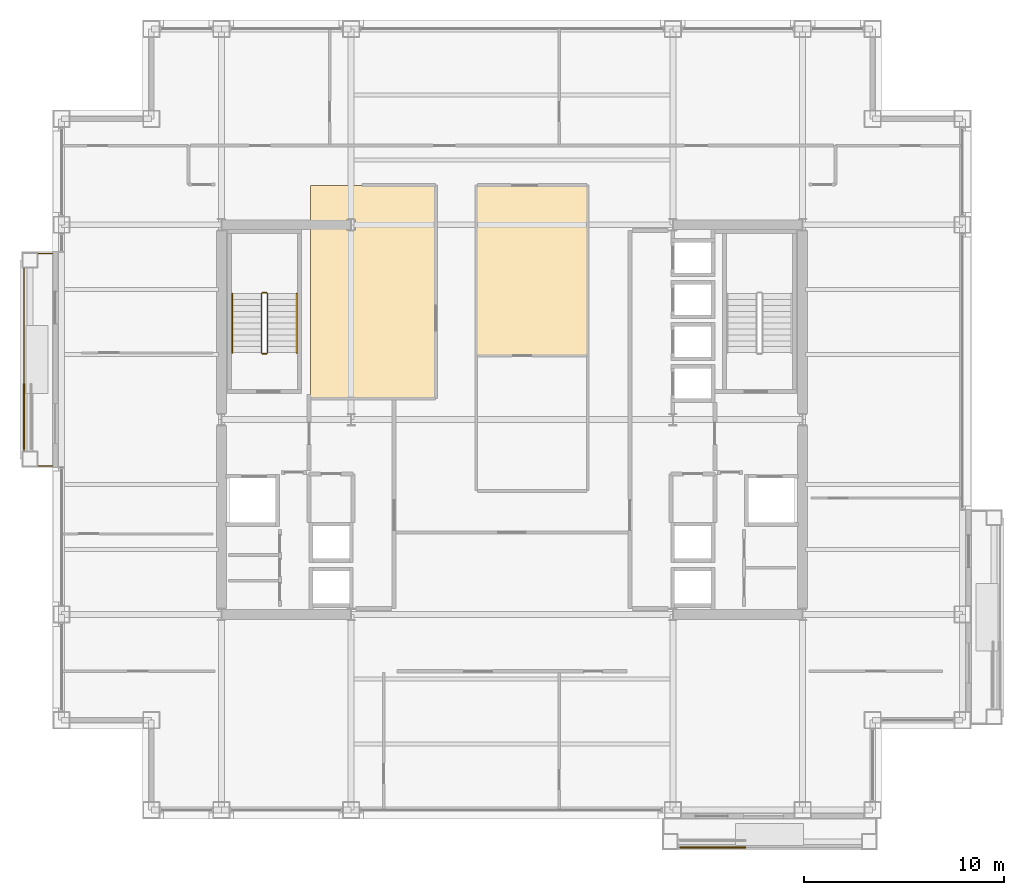
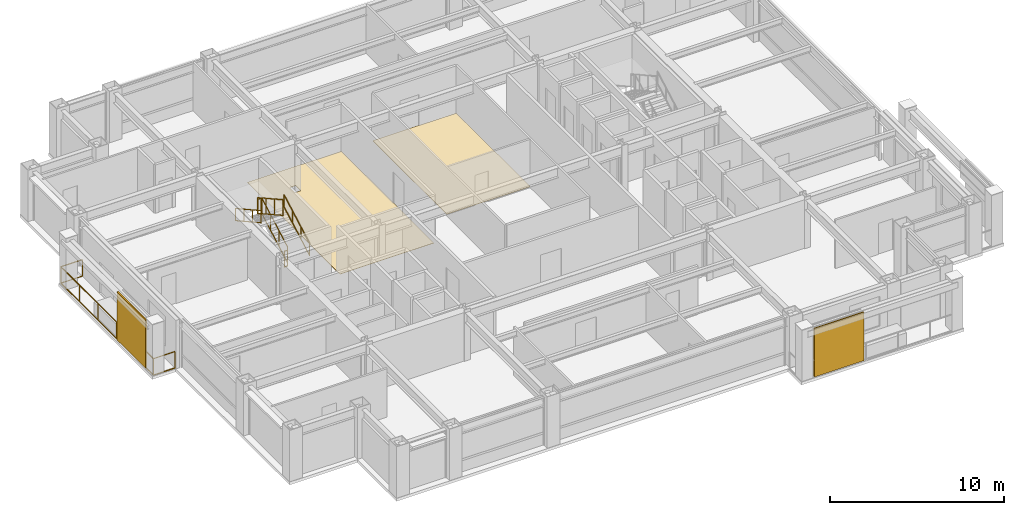
# One storey, part 29 of 31: 7 railings, 2 coverings, 2 shading devices.
"""IFC4 building model written with IfcOpenShell, lengths in metres."""

from ifc_helpers import new_model, si_unit, direction, frame, origin, origin_2d, place, context, subcontext, project, spatial, polyline, rectangle, outline, extrude, material, layer, layer_set, type_object, element, save


model = new_model("IFC4")

# Units and contexts
model_context = context("Model", 3, precision=1e-05, world=origin(), true_north=direction((0.0, 1.0)))
body_context = subcontext(model_context, "Body", "Model", "MODEL_VIEW")
ifc_project = project(units=[si_unit("LENGTHUNIT", "METRE"), si_unit("AREAUNIT", "SQUARE_METRE"), si_unit("VOLUMEUNIT", "CUBIC_METRE"), si_unit("PLANEANGLEUNIT", "RADIAN"), si_unit("MASSUNIT", "GRAM", prefix="KILO")], contexts=[model_context])

# Site, building, storey
site_placement = place(None, origin())
site = spatial("IfcSite", under=ifc_project, at=site_placement, CompositionType="ELEMENT")
building_placement = place(site_placement, origin())
building = spatial("IfcBuilding", under=site, at=building_placement, Name="Brelmoor Portico Tower", CompositionType="ELEMENT")
storey_placement = place(building_placement, frame((0.0, 0.0, 113.39990234375)))
storey = spatial("IfcBuildingStorey", under=building, at=storey_placement, Name="L29", CompositionType="ELEMENT", Elevation=113.39990234375)

# Coverings
ifc_material_1 = material(Name="Polished Pale-Aggregate Cementitious Terrazzo", Category="stone")
ifc_layer_1 = layer(ifc_material_1, 0.030029296875)
ifc_layer_set_1 = layer_set([ifc_layer_1], Name="Polished Pale-Aggregate Cementitious Terrazzo")
covering_type_1 = type_object("IfcCoveringType", Name="CV-FLR-TERRAZZO-30", PredefinedType="FLOORING", material=ifc_layer_set_1)
covering_1_placement = place(storey_placement, origin())
element("IfcCovering", 1, at=covering_1_placement, inside=storey, type_object=covering_type_1, Name="L29 Architectural Floor Finish 02", PredefinedType="FLOORING", context=body_context, shape_type="SweptSolid", body=[
    extrude(outline(polyline([(-1.760009765625, 3.219970703125), (-1.760009765625, 11.719970703125), (3.780029296875, 11.719970703125), (3.780029296875, 3.219970703125), (-1.760009765625, 3.219970703125)])), origin(), (0.0, 0.0, 1.0), 0.030029296875),
])
ifc_material_2 = material(Name="Engineered Quarter-Sawn Oak Parquet Flooring", Category="timber")
ifc_layer_2 = layer(ifc_material_2, 0.02197265625)
ifc_layer_set_2 = layer_set([ifc_layer_2], Name="Engineered Quarter-Sawn Oak Parquet Flooring")
covering_type_2 = type_object("IfcCoveringType", Name="CV-FLR-TIMBER-22", PredefinedType="FLOORING", material=ifc_layer_set_2)
covering_2_placement = place(storey_placement, origin())
element("IfcCovering", 2, at=covering_2_placement, inside=storey, type_object=covering_type_2, Name="L29 Architectural Floor Finish 01", PredefinedType="FLOORING", context=body_context, shape_type="SweptSolid", body=[
    extrude(outline(polyline([(-10.080078125, 11.719970703125), (-3.840087890625, 11.719970703125), (-3.840087890625, 1.090087890625), (-10.080078125, 1.090087890625), (-10.080078125, 11.719970703125)]), holes=[polyline([(-7.85009765625, 9.449951171875), (-7.85009765625, 10.050048828125), (-8.25, 10.050048828125), (-8.25, 9.449951171875), (-7.85009765625, 9.449951171875)])]), origin(), (0.0, 0.0, 1.0), 0.022216796875),
])

# Railings
ifc_material_3 = material(Name="Perforated Pale Champagne Aluminium Fretwork Guard", Category="aluminium")
railing_type_1 = type_object("IfcRailingType", Name="RL-BALUSTRADE-1200", PredefinedType="BALUSTRADE", material=ifc_material_3)
railing_1_placement = place(storey_placement, frame((-23.0, -2.320068359375, 0.0)))
element("IfcRailing", 3, at=railing_1_placement, inside=storey, type_object=railing_type_1, Name="L29 Tree Balcony Fretwork Balustrade W", PredefinedType="BALUSTRADE", context=body_context, shape_type="SweptSolid", body=[
    extrude(rectangle(XDim=0.048095703125, YDim=0.048095703125, at=origin_2d()), frame((0.0, 0.0, 1.17578125), z_axis=(-1.0, 0.0, 0.0), x_axis=(0.0, -1.0, 0.0)), (0.0, 0.0, 1.0), 1.429931640625),
    extrude(rectangle(XDim=0.048095703125, YDim=0.048095703125, at=origin_2d()), frame((0.0, 0.0, 0.02392578125), z_axis=(-1.0, 0.0, 0.0), x_axis=(0.0, -1.0, 0.0)), (0.0, 0.0, 1.0), 1.429931640625),
    extrude(rectangle(XDim=0.048095703125, YDim=0.048095703125, at=origin_2d()), frame((-1.429931640625, 0.0, 1.17578125), z_axis=(0.0, 1.0, 0.0), x_axis=(-1.0, 0.0, 0.0)), (0.0, 0.0, 1.0), 10.64013671875),
    extrude(rectangle(XDim=0.048095703125, YDim=0.048095703125, at=origin_2d()), frame((-1.429931640625, 0.0, 0.02392578125), z_axis=(0.0, 1.0, 0.0), x_axis=(-1.0, 0.0, 0.0)), (0.0, 0.0, 1.0), 10.64013671875),
    extrude(rectangle(XDim=0.048095703125, YDim=0.048095703125, at=origin_2d()), frame((-1.429931640625, 10.64013671875, 1.17578125), z_axis=(1.0, 0.0, 0.0), x_axis=(0.0, 1.0, 0.0)), (0.0, 0.0, 1.0), 1.429931640625),
    extrude(rectangle(XDim=0.048095703125, YDim=0.048095703125, at=origin_2d()), frame((-1.429931640625, 10.64013671875, 0.02392578125), z_axis=(1.0, 0.0, 0.0), x_axis=(0.0, 1.0, 0.0)), (0.0, 0.0, 1.0), 1.429931640625),
    extrude(rectangle(XDim=0.0419921875, YDim=0.0419921875, at=origin_2d()), origin(), (0.0, 0.0, 1.0), 1.15185546875),
    extrude(rectangle(XDim=0.0419921875, YDim=0.0419921875, at=origin_2d()), frame((-1.429931640625, 0.0, 0.0)), (0.0, 0.0, 1.0), 1.15185546875),
    extrude(rectangle(XDim=0.0419921875, YDim=0.0419921875, at=origin_2d()), frame((-1.429931640625, 2.1279296875, 0.0)), (0.0, 0.0, 1.0), 1.15185546875),
    extrude(rectangle(XDim=0.0419921875, YDim=0.0419921875, at=origin_2d()), frame((-1.429931640625, 4.256103515625, 0.0)), (0.0, 0.0, 1.0), 1.15185546875),
    extrude(rectangle(XDim=0.0419921875, YDim=0.0419921875, at=origin_2d()), frame((-1.429931640625, 6.384033203125, 0.0)), (0.0, 0.0, 1.0), 1.15185546875),
    extrude(rectangle(XDim=0.0419921875, YDim=0.0419921875, at=origin_2d()), frame((-1.429931640625, 8.51220703125, 0.0)), (0.0, 0.0, 1.0), 1.15185546875),
    extrude(rectangle(XDim=0.0419921875, YDim=0.0419921875, at=origin_2d()), frame((-1.429931640625, 10.64013671875, 0.0)), (0.0, 0.0, 1.0), 1.15185546875),
    extrude(rectangle(XDim=0.0419921875, YDim=0.0419921875, at=origin_2d()), frame((0.0, 10.64013671875, 0.0)), (0.0, 0.0, 1.0), 1.15185546875),
])
ifc_material_4 = material(Name="Painted Tubular Steel Q235B", Category="steel")
railing_type_2 = type_object("IfcRailingType", Name="RL-STAIR-GUARD", PredefinedType="GUARDRAIL", material=ifc_material_4)
railing_2_placement = place(storey_placement, frame((-12.239990234375, 3.35009765625, 0.163818359375)))
element("IfcRailing", 4, at=railing_2_placement, inside=storey, type_object=railing_type_2, Name="L29 ST-W stair guard 1", PredefinedType="GUARDRAIL", context=body_context, shape_type="SweptSolid", body=[
    extrude(rectangle(XDim=0.048095703125, YDim=0.048095703125, at=origin_2d()), frame((0.0, 0.0, 1.1259765625), z_axis=(0.0, 0.87448821551, 0.485046761595), x_axis=(-1.0, 0.0, 0.0)), (0.0, 0.0, 1.0), 3.373291015625),
    extrude(rectangle(XDim=0.048095703125, YDim=0.048095703125, at=origin_2d()), frame((0.0, 0.0, 0.02392578125), z_axis=(0.0, 0.87448821551, 0.485046761595), x_axis=(-1.0, 0.0, 0.0)), (0.0, 0.0, 1.0), 3.373291015625),
    extrude(rectangle(XDim=0.0419921875, YDim=0.0419921875, at=origin_2d()), origin(), (0.0, 0.0, 1.0), 1.101806640625),
    extrude(rectangle(XDim=0.0419921875, YDim=0.0419921875, at=origin_2d()), frame((0.0, 0.9833984375, 0.54541015625)), (0.0, 0.0, 1.0), 1.101806640625),
    extrude(rectangle(XDim=0.0419921875, YDim=0.0419921875, at=origin_2d()), frame((0.0, 1.966552734375, 1.0908203125)), (0.0, 0.0, 1.0), 1.101806640625),
    extrude(rectangle(XDim=0.0419921875, YDim=0.0419921875, at=origin_2d()), frame((0.0, 2.949951171875, 1.63623046875)), (0.0, 0.0, 1.0), 1.101806640625),
])
railing_3_placement = place(storey_placement, frame((-12.2900390625, 6.35009765625, 1.800048828125)))
element("IfcRailing", 5, at=railing_3_placement, inside=storey, type_object=railing_type_2, Name="L29 ST-W stair guard 2", PredefinedType="GUARDRAIL", context=body_context, shape_type="SweptSolid", body=[
    extrude(rectangle(XDim=0.048095703125, YDim=0.048095703125, at=origin_2d()), frame((0.0, 0.0, 1.1259765625), z_axis=(-1.0, 0.0, 0.0), x_axis=(0.0, -1.0, 0.0)), (0.0, 0.0, 1.0), 0.199951171875),
    extrude(rectangle(XDim=0.048095703125, YDim=0.048095703125, at=origin_2d()), frame((0.0, 0.0, 0.02392578125), z_axis=(-1.0, 0.0, 0.0), x_axis=(0.0, -1.0, 0.0)), (0.0, 0.0, 1.0), 0.199951171875),
    extrude(rectangle(XDim=0.0419921875, YDim=0.0419921875, at=origin_2d()), origin(), (0.0, 0.0, 1.0), 1.101806640625),
    extrude(rectangle(XDim=0.0419921875, YDim=0.0419921875, at=origin_2d()), frame((-0.199951171875, 0.0, 0.0)), (0.0, 0.0, 1.0), 1.101806640625),
])
railing_4_placement = place(storey_placement, frame((-12.5400390625, 6.300048828125, 1.963623046875)))
element("IfcRailing", 6, at=railing_4_placement, inside=storey, type_object=railing_type_2, Name="L29 ST-W stair guard 3", PredefinedType="GUARDRAIL", context=body_context, shape_type="SweptSolid", body=[
    extrude(rectangle(XDim=0.048095703125, YDim=0.048095703125, at=origin_2d()), frame((0.0, 0.0, 1.1259765625), z_axis=(0.0, -0.874457516365, 0.485102104791), x_axis=(1.0, 0.0, 0.0)), (0.0, 0.0, 1.0), 3.37353515625),
    extrude(rectangle(XDim=0.048095703125, YDim=0.048095703125, at=origin_2d()), frame((0.0, 0.0, 0.02392578125), z_axis=(0.0, -0.874457516365, 0.485102104791), x_axis=(1.0, 0.0, 0.0)), (0.0, 0.0, 1.0), 3.37353515625),
    extrude(rectangle(XDim=0.0419921875, YDim=0.0419921875, at=origin_2d()), origin(), (0.0, 0.0, 1.0), 1.101806640625),
    extrude(rectangle(XDim=0.0419921875, YDim=0.0419921875, at=origin_2d()), frame((0.0, -0.9833984375, 0.54541015625)), (0.0, 0.0, 1.0), 1.101806640625),
    extrude(rectangle(XDim=0.0419921875, YDim=0.0419921875, at=origin_2d()), frame((0.0, -1.966552734375, 1.091064453125)), (0.0, 0.0, 1.0), 1.101806640625),
    extrude(rectangle(XDim=0.0419921875, YDim=0.0419921875, at=origin_2d()), frame((0.0, -2.949951171875, 1.636474609375)), (0.0, 0.0, 1.0), 1.101806640625),
])
railing_5_placement = place(storey_placement, frame((-12.2900390625, 3.300048828125, 0.0)))
element("IfcRailing", 7, at=railing_5_placement, inside=storey, type_object=railing_type_2, Name="L29 ST-W stair guard 4", PredefinedType="GUARDRAIL", context=body_context, shape_type="SweptSolid", body=[
    extrude(rectangle(XDim=0.048095703125, YDim=0.048095703125, at=origin_2d()), frame((0.0, 0.0, 1.1259765625), z_axis=(-1.0, 0.0, 0.0), x_axis=(0.0, -1.0, 0.0)), (0.0, 0.0, 1.0), 0.199951171875),
    extrude(rectangle(XDim=0.048095703125, YDim=0.048095703125, at=origin_2d()), frame((0.0, 0.0, 0.02392578125), z_axis=(-1.0, 0.0, 0.0), x_axis=(0.0, -1.0, 0.0)), (0.0, 0.0, 1.0), 0.199951171875),
    extrude(rectangle(XDim=0.0419921875, YDim=0.0419921875, at=origin_2d()), origin(), (0.0, 0.0, 1.0), 1.101806640625),
    extrude(rectangle(XDim=0.0419921875, YDim=0.0419921875, at=origin_2d()), frame((-0.199951171875, 0.0, 0.0)), (0.0, 0.0, 1.0), 1.101806640625),
])
ifc_material_5 = material(Name="Brushed Stainless Steel 304", Category="steel")
railing_type_3 = type_object("IfcRailingType", Name="RL-STAIR-HANDRAIL", PredefinedType="HANDRAIL", material=ifc_material_5)
railing_6_placement = place(storey_placement, frame((-10.780029296875, 3.35009765625, 0.163818359375)))
element("IfcRailing", 8, at=railing_6_placement, inside=storey, type_object=railing_type_3, Name="L29 ST-W stair handrail 1", PredefinedType="HANDRAIL", context=body_context, shape_type="SweptSolid", body=[
    extrude(rectangle(XDim=0.048095703125, YDim=0.048095703125, at=origin_2d()), frame((0.0, 0.0, 0.8759765625), z_axis=(0.0, 0.87448821551, 0.485046761595), x_axis=(-1.0, 0.0, 0.0)), (0.0, 0.0, 1.0), 3.373291015625),
    extrude(rectangle(XDim=0.048095703125, YDim=0.048095703125, at=origin_2d()), frame((0.0, 0.0, 0.02392578125), z_axis=(0.0, 0.87448821551, 0.485046761595), x_axis=(-1.0, 0.0, 0.0)), (0.0, 0.0, 1.0), 3.373291015625),
    extrude(rectangle(XDim=0.0419921875, YDim=0.0419921875, at=origin_2d()), origin(), (0.0, 0.0, 1.0), 0.851806640625),
    extrude(rectangle(XDim=0.0419921875, YDim=0.0419921875, at=origin_2d()), frame((0.0, 0.9833984375, 0.54541015625)), (0.0, 0.0, 1.0), 0.851806640625),
    extrude(rectangle(XDim=0.0419921875, YDim=0.0419921875, at=origin_2d()), frame((0.0, 1.966552734375, 1.0908203125)), (0.0, 0.0, 1.0), 0.851806640625),
    extrude(rectangle(XDim=0.0419921875, YDim=0.0419921875, at=origin_2d()), frame((0.0, 2.949951171875, 1.63623046875)), (0.0, 0.0, 1.0), 0.851806640625),
])
railing_7_placement = place(storey_placement, frame((-14.0, 6.300048828125, 1.963623046875)))
element("IfcRailing", 9, at=railing_7_placement, inside=storey, type_object=railing_type_3, Name="L29 ST-W stair handrail 2", PredefinedType="HANDRAIL", context=body_context, shape_type="SweptSolid", body=[
    extrude(rectangle(XDim=0.048095703125, YDim=0.048095703125, at=origin_2d()), frame((0.0, 0.0, 0.8759765625), z_axis=(0.0, -0.874457516365, 0.485102104791), x_axis=(1.0, 0.0, 0.0)), (0.0, 0.0, 1.0), 3.37353515625),
    extrude(rectangle(XDim=0.048095703125, YDim=0.048095703125, at=origin_2d()), frame((0.0, 0.0, 0.02392578125), z_axis=(0.0, -0.874457516365, 0.485102104791), x_axis=(1.0, 0.0, 0.0)), (0.0, 0.0, 1.0), 3.37353515625),
    extrude(rectangle(XDim=0.0419921875, YDim=0.0419921875, at=origin_2d()), origin(), (0.0, 0.0, 1.0), 0.851806640625),
    extrude(rectangle(XDim=0.0419921875, YDim=0.0419921875, at=origin_2d()), frame((0.0, -0.9833984375, 0.54541015625)), (0.0, 0.0, 1.0), 0.851806640625),
    extrude(rectangle(XDim=0.0419921875, YDim=0.0419921875, at=origin_2d()), frame((0.0, -1.966552734375, 1.091064453125)), (0.0, 0.0, 1.0), 0.851806640625),
    extrude(rectangle(XDim=0.0419921875, YDim=0.0419921875, at=origin_2d()), frame((0.0, -2.949951171875, 1.636474609375)), (0.0, 0.0, 1.0), 0.851806640625),
])

# Shading devices
ifc_material_6 = material(Name="Powder-Coated Aluminium Shuttered Jalousie", Category="aluminium")
ifc_layer_3 = layer(ifc_material_6, 0.080078125)
ifc_layer_set_3 = layer_set([ifc_layer_3], Name="Powder-Coated Aluminium Shuttered Jalousie")
shading_device_type = type_object("IfcShadingDeviceType", Name="SD-JALOUSIE-LOGGIA", PredefinedType="JALOUSIE", material=ifc_layer_set_3)
for number, where, z_axis, x_axis, name in (
    (10, (10.050048828125, -21.429931640625, 0.000244140625), (0.0, 0.0, 1.0), (1.0, 0.0, 0.0), "L29 Loggia Shuttered Jalousie S"),
    (11, (-24.429931640625, 0.14990234375, 0.000244140625), (0.0, 0.0, 1.0), (0.0, 1.0, 0.0), "L29 Loggia Shuttered Jalousie W"),
):
    element("IfcShadingDevice", number, at=place(storey_placement, frame(where, z_axis=z_axis, x_axis=x_axis)), inside=storey, type_object=shading_device_type, Name=name, PredefinedType="JALOUSIE", context=body_context, shape_type="SweptSolid", body=[
        extrude(rectangle(XDim=3.300048828125, YDim=0.080078125, at=origin_2d()), origin(), (0.0, 0.0, 1.0), 3.39990234375),
    ])

save(model, "model.ifc")
